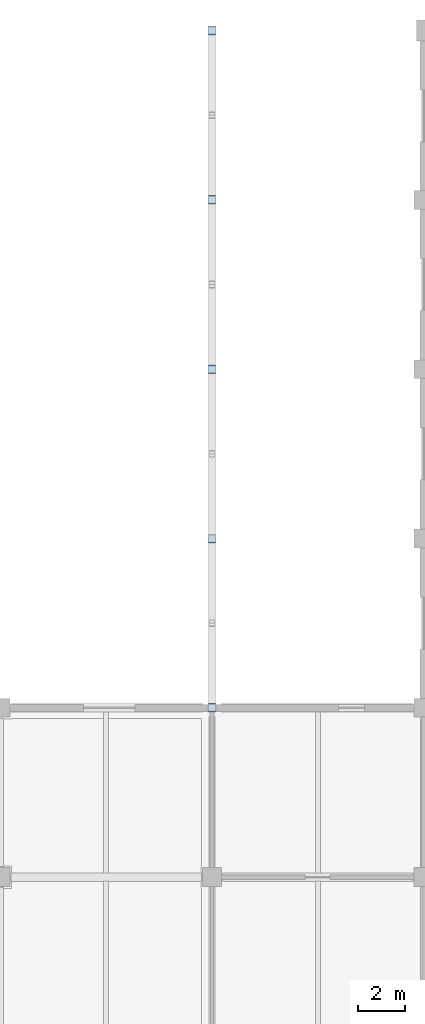
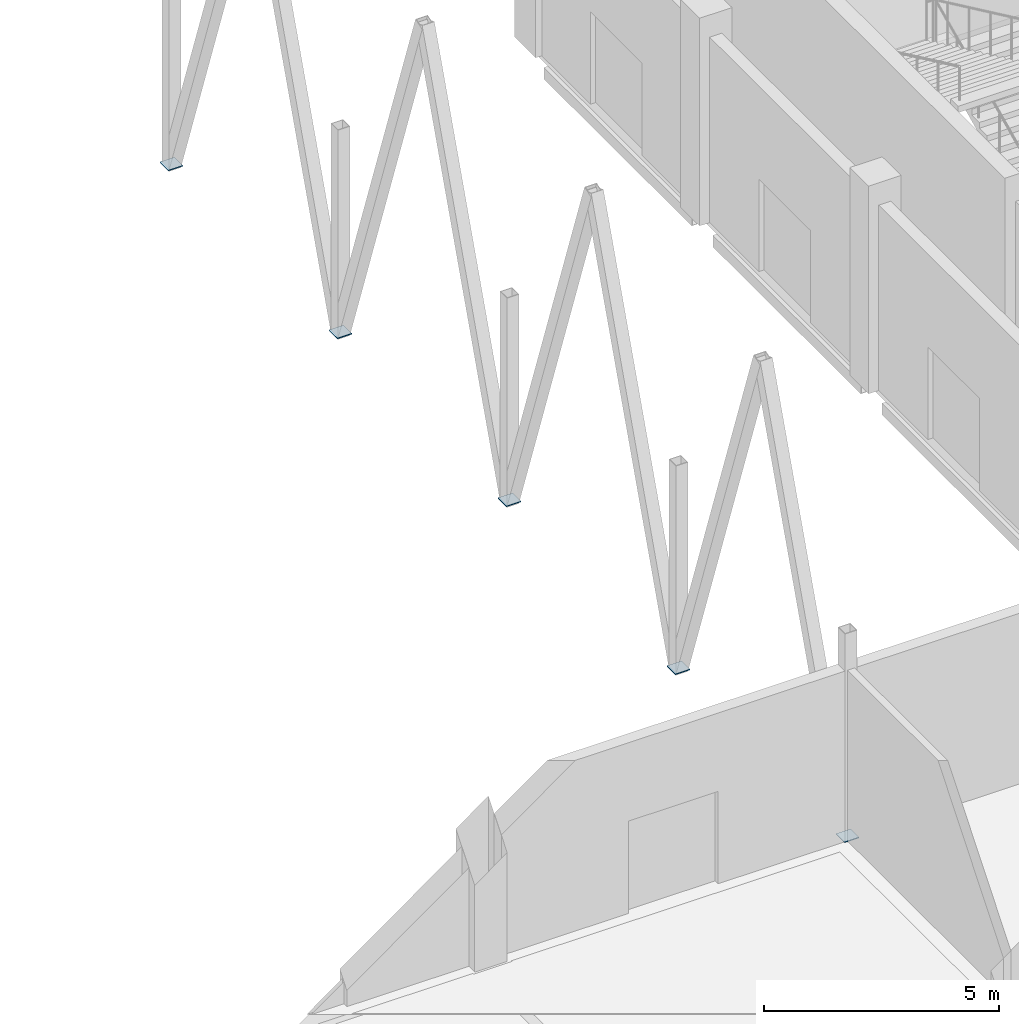
# One storey, part 83 of 137: 5 plates.
"""IFC4 building model written with IfcOpenShell, lengths in metres."""

import ifcopenshell
import ifcopenshell.guid

model = None  # the IFC model being written
_history = None  # IfcOwnerHistory: only IFC2X3 demands one
_inside = {}  # id of a spatial element -> (the spatial element, [elements in it])
_under = {}  # id of a project, library or spatial element -> (it, [spatial elements below it])
_declared = {}  # id of a project -> (the project, [libraries it declares])
_typed = {}  # id of a type object -> (the type object, [elements of that type])
_made_of = {}  # id of a material, layer set ... -> (it, [elements and type objects made of it])


def new_model(schema):
    """Start an empty IFC model of exactly this schema.

    Asked for "IFC4X3", IfcOpenShell would pick the latest addendum, in which some entities
    have other attributes; the version numbers below select the first issue.
    IFC2X3 requires an IfcOwnerHistory on every rooted entity: one is made here for all.
    """
    global model, _history
    if schema == "IFC4X3":
        model = ifcopenshell.file(schema_version=(4, 3, 0, 0))
    else:
        model = ifcopenshell.file(schema=schema)
    _inside.clear()
    _under.clear()
    _declared.clear()
    _typed.clear()
    _made_of.clear()
    _history = None
    if model.schema == "IFC2X3":
        org = make("IfcOrganization", Name="unknown")
        user = make(
            "IfcPersonAndOrganization",
            ThePerson=make("IfcPerson", FamilyName="unknown"),
            TheOrganization=org,
        )
        app = make(
            "IfcApplication",
            ApplicationDeveloper=org,
            Version="unknown",
            ApplicationFullName="unknown",
            ApplicationIdentifier="unknown",
        )
        _history = make(
            "IfcOwnerHistory",
            OwningUser=user,
            OwningApplication=app,
            ChangeAction="ADDED",
            CreationDate=0,
        )
    return model


def make(cls, **values):
    """One entity of the class cls with the attributes given. An attribute that is None is left unset."""
    return model.create_entity(
        cls, **{name: value for name, value in values.items() if value is not None}
    )


def rooted(cls, **values):
    """An entity with a GlobalId (a new one), such as an element, a storey or a relation."""
    return make(cls, GlobalId=ifcopenshell.guid.new(), OwnerHistory=_history, **values)


def si_unit(unit_type, name, prefix=None):
    """IfcSIUnit, for example si_unit("LENGTHUNIT", "METRE", prefix="MILLI")."""
    return make("IfcSIUnit", UnitType=unit_type, Prefix=prefix, Name=name)


def assignment(units):
    """IfcUnitAssignment: the units of a project."""
    return None if units is None else make("IfcUnitAssignment", Units=units)


def point(xyz):
    """IfcCartesianPoint."""
    return None if xyz is None else make("IfcCartesianPoint", Coordinates=xyz)


def direction(xyz):
    """IfcDirection."""
    return None if xyz is None else make("IfcDirection", DirectionRatios=xyz)


def frame(location, z_axis=None, x_axis=None):
    """IfcAxis2Placement3D, a coordinate frame: its origin and axes. An axis left out is left unset."""
    return make(
        "IfcAxis2Placement3D",
        Location=point(location),
        Axis=direction(z_axis),
        RefDirection=direction(x_axis),
    )


def frame_2d(location, x_axis=None):
    """IfcAxis2Placement2D, a coordinate frame in the plane: its origin and x axis."""
    return make(
        "IfcAxis2Placement2D", Location=point(location), RefDirection=direction(x_axis)
    )


def origin():
    """The frame at (0, 0, 0) with its axes left unset."""
    return frame((0.0, 0.0, 0.0))


def origin_2d():
    """The frame at (0, 0) in the plane with its x axis left unset."""
    return frame_2d((0.0, 0.0))


def place(relative_to, where):
    """IfcLocalPlacement: puts the frame where relative to a parent placement (None: the world)."""
    return make(
        "IfcLocalPlacement", PlacementRelTo=relative_to, RelativePlacement=where
    )


def context(
    kind, dimensions, precision=None, world=None, true_north=None, identifier=None
):
    """IfcGeometricRepresentationContext, for example the 3D "Model" context."""
    return make(
        "IfcGeometricRepresentationContext",
        ContextIdentifier=identifier,
        ContextType=kind,
        CoordinateSpaceDimension=dimensions,
        Precision=precision,
        WorldCoordinateSystem=world,
        TrueNorth=true_north,
    )


def subcontext(parent, identifier, kind, view, scale=None):
    """IfcGeometricRepresentationSubContext, for example "Body" below "Model"."""
    return make(
        "IfcGeometricRepresentationSubContext",
        ContextIdentifier=identifier,
        ContextType=kind,
        ParentContext=parent,
        TargetScale=scale,
        TargetView=view,
    )


def project(units=None, contexts=None):
    """IfcProject with its units and contexts."""
    return rooted(
        "IfcProject",
        Name="project",
        RepresentationContexts=contexts,
        UnitsInContext=assignment(units),
    )


def spatial(cls, under=None, at=None, **own):
    """A site, building, storey or space (cls), placed at a placement, below another one or the project."""
    s = rooted(cls, ObjectPlacement=at, **own)
    if under is not None:
        _under.setdefault(under.id(), (under, []))[1].append(s)
    return s


def profile(cls, at=None, kind="AREA", **sizes):
    """A parametric profile (cls). Its sizes go by their IFC names, for example OverallWidth=200.0."""
    return make(cls, ProfileType=kind, Position=at, **sizes)


def rectangle(**sizes):
    """IfcRectangleProfileDef."""
    return profile("IfcRectangleProfileDef", **sizes)


def extrude(swept, where, along, depth):
    """IfcExtrudedAreaSolid: the profile swept, set in the frame where, extruded along a direction by depth."""
    return make(
        "IfcExtrudedAreaSolid",
        SweptArea=swept,
        Position=where,
        ExtrudedDirection=direction(along),
        Depth=depth,
    )


def shape(context_of_items, identifier, shape_type, items):
    """IfcShapeRepresentation: the items that make up one representation, for example the "Body"."""
    return make(
        "IfcShapeRepresentation",
        ContextOfItems=context_of_items,
        RepresentationIdentifier=identifier,
        RepresentationType=shape_type,
        Items=items,
    )


def material(Name=None, Category=None):
    """IfcMaterial."""
    return make("IfcMaterial", Name=Name, Category=Category)


def layer(
    of_material, thickness, ventilated=None, Name=None, Category=None, Priority=None
):
    """IfcMaterialLayer: one layer of a wall or slab, of a material (None: an air gap)."""
    return make(
        "IfcMaterialLayer",
        Material=of_material,
        LayerThickness=thickness,
        IsVentilated=ventilated,
        Name=Name,
        Category=Category,
        Priority=Priority,
    )


def layer_set(layers, Name=None):
    """IfcMaterialLayerSet."""
    return make("IfcMaterialLayerSet", MaterialLayers=layers, LayerSetName=Name)


def made_of(thing, what):
    """Note that an element or type object is made of a material, layer set ...; save() writes the relation."""
    if what is not None:
        _made_of.setdefault(what.id(), (what, []))[1].append(thing)
    return thing


def type_object(cls, material=None, **own):
    """A type object (cls), such as IfcWallType, which elements share."""
    return made_of(rooted(cls, **own), material)


def element(
    cls,
    number,
    at=None,
    inside=None,
    cuts=None,
    type_object=None,
    material=None,
    context=None,
    identifier="Body",
    shape_type=None,
    held_by="IfcProductDefinitionShape",
    body=None,
    shapes=None,
    **own,
):
    """One element of the class cls, such as IfcWall. Its Tag is "e" and its number.

    at: its placement. inside: the storey or other place that contains it. cuts: it is an
    opening in that element (IfcRelVoidsElement). A single representation is given by context,
    identifier, shape_type and body (its items); several are given by shapes. held_by: the class
    of the entity that holds the representations. save() writes the other relations.
    """
    e = rooted(cls, Tag="e%d" % number, ObjectPlacement=at, **own)
    if body is not None:
        shapes = [shape(context, identifier, shape_type, body)]
    if shapes is not None:
        e.Representation = make(held_by, Representations=shapes)
    if inside is not None:
        _inside.setdefault(inside.id(), (inside, []))[1].append(e)
    if cuts is not None:
        rooted(
            "IfcRelVoidsElement", RelatingBuildingElement=cuts, RelatedOpeningElement=e
        )
    if type_object is not None:
        _typed.setdefault(type_object.id(), (type_object, []))[1].append(e)
    return made_of(e, material)


def aggregate(whole, parts):
    """IfcRelAggregates: a whole, such as a stair, and the parts it consists of."""
    return rooted("IfcRelAggregates", RelatingObject=whole, RelatedObjects=parts)


def save(model, path):
    """Write the relations noted so far, then the file.

    IfcRelAggregates (storeys below a building ...), IfcRelContainedInSpatialStructure (elements
    in a storey), IfcRelDefinesByType, IfcRelAssociatesMaterial and IfcRelDeclares: one each for
    every whole, place, type object, material and project.
    """
    for whole, parts in _under.values():
        aggregate(whole, parts)
    for where, things in _inside.values():
        rooted(
            "IfcRelContainedInSpatialStructure",
            RelatedElements=things,
            RelatingStructure=where,
        )
    for kind, things in _typed.values():
        rooted("IfcRelDefinesByType", RelatedObjects=things, RelatingType=kind)
    for what, things in _made_of.values():
        rooted("IfcRelAssociatesMaterial", RelatedObjects=things, RelatingMaterial=what)
    for by, libraries in _declared.values():
        rooted("IfcRelDeclares", RelatingContext=by, RelatedDefinitions=libraries)
    model.write(path)


model = new_model("IFC4")

# Units and contexts
model_context = context("Model", 3, precision=1e-05, world=origin(), true_north=direction((0.0, 1.0)))
body_context = subcontext(model_context, "Body", "Model", "MODEL_VIEW")
ifc_project = project(units=[si_unit("LENGTHUNIT", "METRE"), si_unit("AREAUNIT", "SQUARE_METRE"), si_unit("VOLUMEUNIT", "CUBIC_METRE"), si_unit("PLANEANGLEUNIT", "RADIAN"), si_unit("MASSUNIT", "GRAM", prefix="KILO")], contexts=[model_context])

# Site, building, storey
site_placement = place(None, origin())
site = spatial("IfcSite", under=ifc_project, at=site_placement, CompositionType="ELEMENT")
building_placement = place(site_placement, origin())
building = spatial("IfcBuilding", under=site, at=building_placement, Name="Celestram Park Convention Centre", CompositionType="ELEMENT")
storey_placement = place(building_placement, origin())
storey = spatial("IfcBuildingStorey", under=building, at=storey_placement, Name="L00", CompositionType="ELEMENT", Elevation=0.0)

# Plates
ifc_material = material(Name="Steel ASTM A572 Grade 50", Category="steel")
ifc_layer = layer(ifc_material, 0.02001953125)
ifc_layer_set = layer_set([ifc_layer], Name="Steel ASTM A572 Grade 50")
plate_type = type_object("IfcPlateType", Name="STR-PLT-CP20", PredefinedType="USERDEFINED", material=ifc_layer_set)
for number, where, z_axis, x_axis, name in (
    (1, (27.0, 136.800048828125, 0.0), (0.0, 0.0, 1.0), (1.0, 0.0, 0.0), "Canopy column base cap plate GP-L00-CP01"),
    (2, (27.0, 144.0, 0.0), (0.0, 0.0, 1.0), (1.0, 0.0, 0.0), "Canopy column base cap plate GP-L00-CP02"),
    (3, (27.0, 151.199951171875, 0.0), (0.0, 0.0, 1.0), (1.0, 0.0, 0.0), "Canopy column base cap plate GP-L00-CP03"),
    (4, (27.0, 158.39990234375, 0.0), (0.0, 0.0, 1.0), (1.0, 0.0, 0.0), "Canopy column base cap plate GP-L00-CP04"),
    (5, (27.0, 165.60009765625, 0.0), (0.0, 0.0, 1.0), (1.0, 0.0, 0.0), "Canopy column base cap plate GP-L00-CP05"),
):
    element("IfcPlate", number, at=place(storey_placement, frame(where, z_axis=z_axis, x_axis=x_axis)), inside=storey, type_object=plate_type, Name=name, ObjectType="GUSSET_PLATE", PredefinedType="USERDEFINED", context=body_context, shape_type="SweptSolid", body=[
        extrude(rectangle(XDim=0.360107421875, YDim=0.360107421875, at=origin_2d()), origin(), (0.0, 0.0, 1.0), 0.02001953125),
    ])

save(model, "model.ifc")
